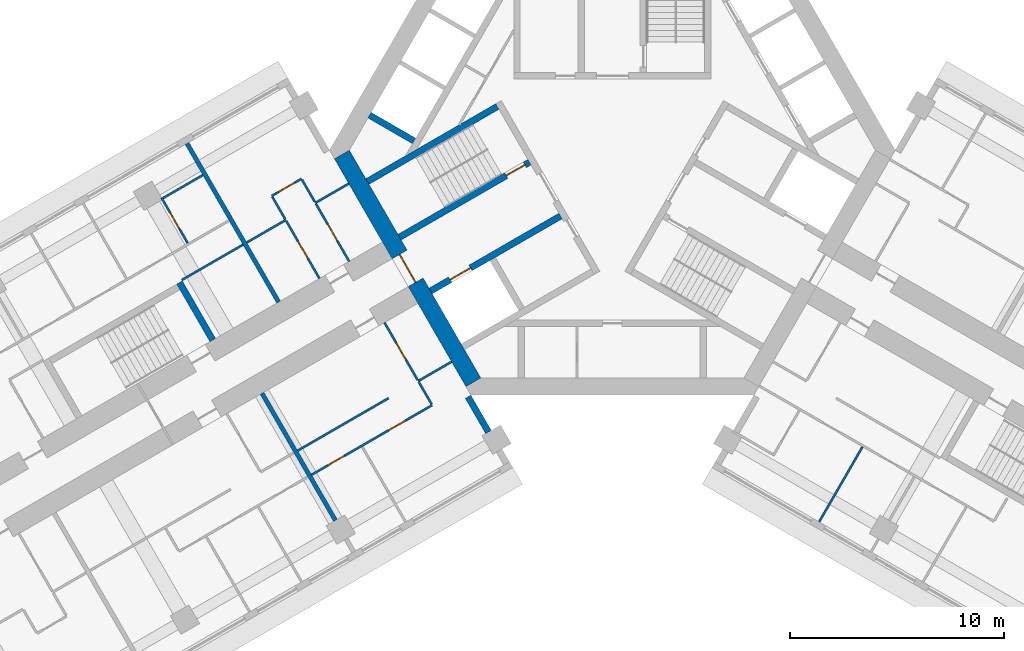
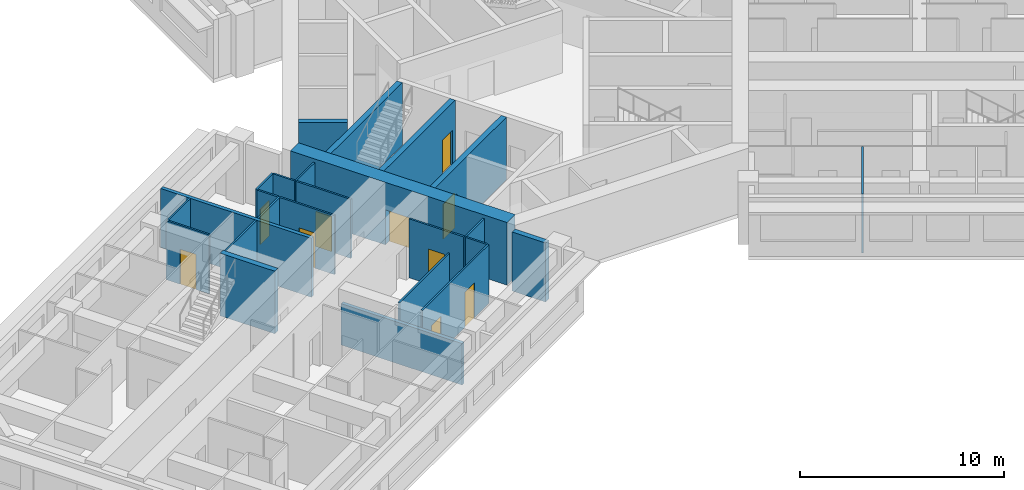
# One storey, part 4 of 13: 25 walls, 10 doors, 10 openings.
"""IFC4 building model written with IfcOpenShell, lengths in metres."""

from ifc_helpers import new_model, si_unit, direction, frame, frame_2d, origin, place, context, subcontext, project, spatial, rectangle, extrude, material, layer, layer_set, type_object, element, fill, save


model = new_model("IFC4")

# Units and contexts
model_context = context("Model", 3, precision=1e-05, world=origin(), true_north=direction((0.0, 1.0)))
body_context = subcontext(model_context, "Body", "Model", "MODEL_VIEW")
ifc_project = project(units=[si_unit("LENGTHUNIT", "METRE"), si_unit("AREAUNIT", "SQUARE_METRE"), si_unit("VOLUMEUNIT", "CUBIC_METRE"), si_unit("PLANEANGLEUNIT", "RADIAN"), si_unit("MASSUNIT", "GRAM", prefix="KILO")], contexts=[model_context])

# Site, building, storey
site_placement = place(None, origin())
site = spatial("IfcSite", under=ifc_project, at=site_placement, CompositionType="ELEMENT")
building_placement = place(site_placement, origin())
building = spatial("IfcBuilding", under=site, at=building_placement, Name="Impinga Residences", CompositionType="ELEMENT")
storey_placement = place(building_placement, frame((0.0, 0.0, 151.0)))
storey = spatial("IfcBuildingStorey", under=building, at=storey_placement, Name="L37", CompositionType="ELEMENT", Elevation=151.0)

# Walls
ifc_material_1 = material(Name="Terracotta rainscreen on blockwork", Category="masonry")
ifc_layer_1 = layer(ifc_material_1, 0.300048828125)
ifc_layer_set_1 = layer_set([ifc_layer_1], Name="EW1 external wall, terracotta rainscreen on blockwork 300")
wall_type_1 = type_object("IfcWallType", Name="EW1 external wall, terracotta rainscreen on blockwork 300", PredefinedType="SOLIDWALL", material=ifc_layer_set_1)
wall_1_placement = place(storey_placement, frame((-6.72998046875, -11.506591796875, 0.0), z_axis=(0.0, 0.0, 1.0), x_axis=(0.500063520245, -0.865988727248, 0.0)))
element("IfcWall", 1, at=wall_1_placement, inside=storey, type_object=wall_type_1, Name="External wall EW1 L37", PredefinedType="SOLIDWALL", context=body_context, shape_type="SweptSolid", body=[
    extrude(rectangle(XDim=1.900146484375, YDim=0.300048828125, at=frame_2d((0.9501953125, 0.0))), origin(), (0.0, 0.0, 1.0), 3.530029296875),
])
ifc_material_2 = material(Name="Gypsum board on steel studs", Category="steel")
ifc_layer_2 = layer(ifc_material_2, 0.10009765625)
ifc_layer_set_2 = layer_set([ifc_layer_2], Name="Gypsum board on steel studs")
wall_type_2 = type_object("IfcWallType", Name="IP1 partition 100", PredefinedType="PARTITIONING", material=ifc_layer_set_2)
wall_2_placement = place(storey_placement, frame((-7.5, -9.872802734375, 0.0), z_axis=(0.0, 0.0, 1.0), x_axis=(-0.866047807691, -0.499961193289, 0.0)))
element("IfcWall", 2, at=wall_2_placement, inside=storey, type_object=wall_type_2, Name="Partition L37-WA1:DIV0", PredefinedType="PARTITIONING", context=body_context, shape_type="SweptSolid", body=[
    extrude(rectangle(XDim=1.800048828125, YDim=0.10009765625, at=frame_2d((0.89990234375, 0.0))), origin(), (0.0, 0.0, 1.0), 3.530029296875),
])
wall_3_placement = place(storey_placement, frame((-10.444580078125, -11.57275390625, 0.0), z_axis=(0.0, 0.0, 1.0), x_axis=(-0.866023786258, -0.500002801628, 0.0)))
element("IfcWall", 3, at=wall_3_placement, inside=storey, type_object=wall_type_2, Name="Partition L37-WA1:DIV1", PredefinedType="PARTITIONING", context=body_context, shape_type="SweptSolid", body=[
    extrude(rectangle(XDim=4.89990234375, YDim=0.10009765625, at=frame_2d((2.449951171875, 0.0))), origin(), (0.0, 0.0, 1.0), 3.530029296875),
])

# Wall, openings, doors
wall_4_placement = place(storey_placement, frame((-8.408935546875, -11.8984375, 0.0), z_axis=(0.0, 0.0, 1.0), x_axis=(-0.866024837091, -0.50000098154, 0.0)))
wall_4 = element("IfcWall", 4, at=wall_4_placement, inside=storey, type_object=wall_type_2, Name="Partition L37-WA1:STRIP", PredefinedType="PARTITIONING", context=body_context, shape_type="SweptSolid", body=[
    extrude(rectangle(XDim=6.5, YDim=0.10009765625, at=frame_2d((3.25, 0.0))), origin(), (0.0, 0.0, 1.0), 3.530029296875),
])
opening_1_placement = place(wall_4_placement, frame((1.425048828125, 0.0, 0.0)))
opening_1 = element("IfcOpeningElement", 5, at=opening_1_placement, cuts=wall_4, Name="Opening D2", PredefinedType="OPENING", context=body_context, shape_type="SweptSolid", body=[
    extrude(rectangle(XDim=0.89990234375, YDim=2.10009765625, at=frame_2d((0.449951171875, 1.050048828125))), frame((0.0, 0.06005859375, 0.0), z_axis=(0.0, -1.0, 0.0), x_axis=(1.0, 0.0, 0.0)), (0.0, 0.0, 1.0), 0.1201171875),
])
opening_2_placement = place(wall_4_placement, frame((4.72509765625, 0.0, 0.0)))
opening_2 = element("IfcOpeningElement", 6, at=opening_2_placement, cuts=wall_4, Name="Opening D2", PredefinedType="OPENING", context=body_context, shape_type="SweptSolid", body=[
    extrude(rectangle(XDim=0.89990234375, YDim=2.10009765625, at=frame_2d((0.449951171875, 1.050048828125))), frame((0.0, 0.06005859375, 0.0), z_axis=(0.0, -1.0, 0.0), x_axis=(1.0, 0.0, 0.0)), (0.0, 0.0, 1.0), 0.1201171875),
])
ifc_material_3 = material(Name="Timber door set", Category="wood")
door_type_1 = type_object("IfcDoorType", Name="D2 internal door 900x2100", OperationType="SINGLE_SWING_LEFT", PredefinedType="DOOR", material=ifc_material_3)
door_1_placement = place(opening_1_placement, origin())
door_1 = element("IfcDoor", 7, at=door_1_placement, inside=storey, type_object=door_type_1, Name="Apartment L37-WA1 room door", OperationType="SINGLE_SWING_LEFT", OverallHeight=2.10009765625, OverallWidth=0.89990234375, PredefinedType="DOOR", context=body_context, shape_type="SweptSolid", body=[
    extrude(rectangle(XDim=0.89990234375, YDim=2.10009765625, at=frame_2d((0.449951171875, 1.050048828125))), frame((0.0, 0.02490234375, 0.0), z_axis=(0.0, -1.0, 0.0), x_axis=(1.0, 0.0, 0.0)), (0.0, 0.0, 1.0), 0.050048828125),
])
fill(opening_1, door_1)
door_2_placement = place(opening_2_placement, origin())
door_2 = element("IfcDoor", 8, at=door_2_placement, inside=storey, type_object=door_type_1, Name="Apartment L37-WA1 room door", OperationType="SINGLE_SWING_RIGHT", OverallHeight=2.10009765625, OverallWidth=0.89990234375, PredefinedType="DOOR", context=body_context, shape_type="SweptSolid", body=[
    extrude(rectangle(XDim=0.89990234375, YDim=2.10009765625, at=frame_2d((0.449951171875, 1.050048828125))), frame((0.0, 0.02490234375, 0.0), z_axis=(0.0, -1.0, 0.0), x_axis=(1.0, 0.0, 0.0)), (0.0, 0.0, 1.0), 0.050048828125),
])
fill(opening_2, door_2)

# Wall
wall_5_placement = place(storey_placement, frame((-9.033935546875, -10.81591796875, 0.0), z_axis=(0.0, 0.0, 1.0), x_axis=(0.500033551112, -0.866006032174, 0.0)))
element("IfcWall", 9, at=wall_5_placement, inside=storey, type_object=wall_type_2, Name="Partition L37-WA1:SE0", PredefinedType="PARTITIONING", context=body_context, shape_type="SweptSolid", body=[
    extrude(rectangle(XDim=1.2001953125, YDim=0.10009765625, at=frame_2d((0.60009765625, 0.0))), origin(), (0.0, 0.0, 1.0), 3.530029296875),
])

# Wall, opening, door
wall_6_placement = place(storey_placement, frame((-10.6337890625, -8.044677734375, 0.0), z_axis=(0.0, 0.0, 1.0), x_axis=(0.49999285859, -0.86602952684, 0.0)))
wall_6 = element("IfcWall", 10, at=wall_6_placement, inside=storey, type_object=wall_type_2, Name="Partition L37-WA1:IB1", PredefinedType="PARTITIONING", context=body_context, shape_type="SweptSolid", body=[
    extrude(rectangle(XDim=3.10009765625, YDim=0.10009765625, at=frame_2d((1.550048828125, 0.0))), origin(), (0.0, 0.0, 1.0), 3.530029296875),
])
opening_3_placement = place(wall_6_placement, frame((1.10009765625, 0.0, 0.0)))
opening_3 = element("IfcOpeningElement", 11, at=opening_3_placement, cuts=wall_6, Name="Opening D2", PredefinedType="OPENING", context=body_context, shape_type="SweptSolid", body=[
    extrude(rectangle(XDim=0.89990234375, YDim=2.10009765625, at=frame_2d((0.449951171875, 1.050048828125))), frame((0.0, 0.06005859375, 0.0), z_axis=(0.0, -1.0, 0.0), x_axis=(1.0, 0.0, 0.0)), (0.0, 0.0, 1.0), 0.1201171875),
])
door_3_placement = place(opening_3_placement, origin())
door_3 = element("IfcDoor", 12, at=door_3_placement, inside=storey, type_object=door_type_1, Name="Apartment L37-WA1 bathroom door", OperationType="SINGLE_SWING_LEFT", OverallHeight=2.10009765625, OverallWidth=0.89990234375, PredefinedType="DOOR", context=body_context, shape_type="SweptSolid", body=[
    extrude(rectangle(XDim=0.89990234375, YDim=2.10009765625, at=frame_2d((0.449951171875, 1.050048828125))), frame((0.0, 0.02490234375, 0.0), z_axis=(0.0, -1.0, 0.0), x_axis=(1.0, 0.0, 0.0)), (0.0, 0.0, 1.0), 0.050048828125),
])
fill(opening_3, door_3)

# Walls
wall_7_placement = place(storey_placement, frame((-12.300048828125, -1.558837890625, 0.0), z_axis=(0.0, 0.0, 1.0), x_axis=(-0.866047807691, -0.499961193289, 0.0)))
element("IfcWall", 13, at=wall_7_placement, inside=storey, type_object=wall_type_2, Name="Partition L37-WF1:DIV0", PredefinedType="PARTITIONING", context=body_context, shape_type="SweptSolid", body=[
    extrude(rectangle(XDim=1.800048828125, YDim=0.10009765625, at=frame_2d((0.89990234375, 0.0))), origin(), (0.0, 0.0, 1.0), 3.530029296875),
])
wall_8_placement = place(storey_placement, frame((-15.244384765625, -3.2587890625, 0.0), z_axis=(0.0, 0.0, 1.0), x_axis=(-0.866038466041, -0.499977374825, 0.0)))
element("IfcWall", 14, at=wall_8_placement, inside=storey, type_object=wall_type_2, Name="Partition L37-WF1:DIV1", PredefinedType="PARTITIONING", context=body_context, shape_type="SweptSolid", body=[
    extrude(rectangle(XDim=2.10009765625, YDim=0.10009765625, at=frame_2d((1.050048828125, 0.0))), origin(), (0.0, 0.0, 1.0), 3.530029296875),
])

# Wall, opening, door
wall_9_placement = place(storey_placement, frame((-14.5087890625, -1.3330078125, 0.0), z_axis=(0.0, 0.0, 1.0), x_axis=(-0.866028054938, -0.499995408039, 0.0)))
wall_9 = element("IfcWall", 15, at=wall_9_placement, inside=storey, type_object=wall_type_2, Name="Partition L37-WF1:STRIP", PredefinedType="PARTITIONING", context=body_context, shape_type="SweptSolid", body=[
    extrude(rectangle(XDim=1.60009765625, YDim=0.10009765625, at=frame_2d((0.800048828125, 0.0))), origin(), (0.0, 0.0, 1.0), 3.530029296875),
])
opening_4_placement = place(wall_9_placement, frame((0.35009765625, 0.0, 0.0)))
opening_4 = element("IfcOpeningElement", 16, at=opening_4_placement, cuts=wall_9, Name="Opening D2", PredefinedType="OPENING", context=body_context, shape_type="SweptSolid", body=[
    extrude(rectangle(XDim=0.89990234375, YDim=2.10009765625, at=frame_2d((0.449951171875, 1.050048828125))), frame((0.0, 0.06005859375, 0.0), z_axis=(0.0, -1.0, 0.0), x_axis=(1.0, 0.0, 0.0)), (0.0, 0.0, 1.0), 0.1201171875),
])
door_4_placement = place(opening_4_placement, origin())
door_4 = element("IfcDoor", 17, at=door_4_placement, inside=storey, type_object=door_type_1, Name="Apartment L37-WF1 room door", OperationType="SINGLE_SWING_LEFT", OverallHeight=2.10009765625, OverallWidth=0.89990234375, PredefinedType="DOOR", context=body_context, shape_type="SweptSolid", body=[
    extrude(rectangle(XDim=0.89990234375, YDim=2.10009765625, at=frame_2d((0.449951171875, 1.050048828125))), frame((0.0, 0.02490234375, 0.0), z_axis=(0.0, -1.0, 0.0), x_axis=(1.0, 0.0, 0.0)), (0.0, 0.0, 1.0), 0.050048828125),
])
fill(opening_4, door_4)

# Walls
wall_10_placement = place(storey_placement, frame((-13.8837890625, -2.41552734375, 0.0), z_axis=(0.0, 0.0, 1.0), x_axis=(-0.500033551112, 0.866006032174, 0.0)))
element("IfcWall", 18, at=wall_10_placement, inside=storey, type_object=wall_type_2, Name="Partition L37-WF1:SE0", PredefinedType="PARTITIONING", context=body_context, shape_type="SweptSolid", body=[
    extrude(rectangle(XDim=1.2001953125, YDim=0.10009765625, at=frame_2d((0.60009765625, 0.0))), origin(), (0.0, 0.0, 1.0), 3.530029296875),
])
wall_11_placement = place(storey_placement, frame((-15.26953125, -3.215576171875, 0.0), z_axis=(0.0, 0.0, 1.0), x_axis=(-0.499880961361, 0.866094119867, 0.0)))
element("IfcWall", 19, at=wall_11_placement, inside=storey, type_object=wall_type_2, Name="Partition L37-WF1:SE1", PredefinedType="PARTITIONING", context=body_context, shape_type="SweptSolid", body=[
    extrude(rectangle(XDim=1.199951171875, YDim=0.10009765625, at=frame_2d((0.60009765625, 0.0))), origin(), (0.0, 0.0, 1.0), 3.530029296875),
])

# Wall, opening, door
wall_12_placement = place(storey_placement, frame((-12.283935546875, -5.186767578125, 0.0), z_axis=(0.0, 0.0, 1.0), x_axis=(-0.499967891604, 0.866043940782, 0.0)))
wall_12 = element("IfcWall", 20, at=wall_12_placement, inside=storey, type_object=wall_type_2, Name="Partition L37-WF1:IB1", PredefinedType="PARTITIONING", context=body_context, shape_type="SweptSolid", body=[
    extrude(rectangle(XDim=3.099853515625, YDim=0.10009765625, at=frame_2d((1.5498046875, 0.0))), origin(), (0.0, 0.0, 1.0), 3.530029296875),
])
opening_5_placement = place(wall_12_placement, frame((1.10009765625, 0.0, 0.0)))
opening_5 = element("IfcOpeningElement", 21, at=opening_5_placement, cuts=wall_12, Name="Opening D2", PredefinedType="OPENING", context=body_context, shape_type="SweptSolid", body=[
    extrude(rectangle(XDim=0.89990234375, YDim=2.10009765625, at=frame_2d((0.449951171875, 1.050048828125))), frame((0.0, 0.06005859375, 0.0), z_axis=(0.0, -1.0, 0.0), x_axis=(1.0, 0.0, 0.0)), (0.0, 0.0, 1.0), 0.1201171875),
])
door_5_placement = place(opening_5_placement, origin())
door_5 = element("IfcDoor", 22, at=door_5_placement, inside=storey, type_object=door_type_1, Name="Apartment L37-WF1 bathroom door", OperationType="SINGLE_SWING_LEFT", OverallHeight=2.10009765625, OverallWidth=0.89990234375, PredefinedType="DOOR", context=body_context, shape_type="SweptSolid", body=[
    extrude(rectangle(XDim=0.89990234375, YDim=2.10009765625, at=frame_2d((0.449951171875, 1.050048828125))), frame((0.0, 0.02490234375, 0.0), z_axis=(0.0, -1.0, 0.0), x_axis=(1.0, 0.0, 0.0)), (0.0, 0.0, 1.0), 0.050048828125),
])
fill(opening_5, door_5)

wall_13_placement = place(storey_placement, frame((-13.66943359375, -5.98681640625, 0.0), z_axis=(0.0, 0.0, 1.0), x_axis=(-0.500026960575, 0.86600983753, 0.0)))
wall_13 = element("IfcWall", 23, at=wall_13_placement, inside=storey, type_object=wall_type_2, Name="Partition L37-WF1:IB2", PredefinedType="PARTITIONING", context=body_context, shape_type="SweptSolid", body=[
    extrude(rectangle(XDim=3.099853515625, YDim=0.10009765625, at=frame_2d((1.5498046875, 0.0))), origin(), (0.0, 0.0, 1.0), 3.530029296875),
])
opening_6_placement = place(wall_13_placement, frame((1.10009765625, 0.0, 0.0)))
opening_6 = element("IfcOpeningElement", 24, at=opening_6_placement, cuts=wall_13, Name="Opening D2", PredefinedType="OPENING", context=body_context, shape_type="SweptSolid", body=[
    extrude(rectangle(XDim=0.89990234375, YDim=2.10009765625, at=frame_2d((0.449951171875, 1.050048828125))), frame((0.0, 0.06005859375, 0.0), z_axis=(0.0, -1.0, 0.0), x_axis=(1.0, 0.0, 0.0)), (0.0, 0.0, 1.0), 0.1201171875),
])
door_6_placement = place(opening_6_placement, origin())
door_6 = element("IfcDoor", 25, at=door_6_placement, inside=storey, type_object=door_type_1, Name="Apartment L37-WF1 WC door", OperationType="SINGLE_SWING_LEFT", OverallHeight=2.10009765625, OverallWidth=0.89990234375, PredefinedType="DOOR", context=body_context, shape_type="SweptSolid", body=[
    extrude(rectangle(XDim=0.89990234375, YDim=2.10009765625, at=frame_2d((0.449951171875, 1.050048828125))), frame((0.0, 0.02490234375, 0.0), z_axis=(0.0, -1.0, 0.0), x_axis=(1.0, 0.0, 0.0)), (0.0, 0.0, 1.0), 0.050048828125),
])
fill(opening_6, door_6)

# Wall
wall_14_placement = place(storey_placement, frame((-17.236328125, -4.408935546875, 0.0), z_axis=(0.0, 0.0, 1.0), x_axis=(-0.866040211805, -0.499974350878, 0.0)))
element("IfcWall", 26, at=wall_14_placement, inside=storey, type_object=wall_type_2, Name="Partition L37-WF2:DIV0", PredefinedType="PARTITIONING", context=body_context, shape_type="SweptSolid", body=[
    extrude(rectangle(XDim=3.300048828125, YDim=0.10009765625, at=frame_2d((1.64990234375, 0.0))), origin(), (0.0, 0.0, 1.0), 3.530029296875),
])

# Wall, opening, door
wall_15_placement = place(storey_placement, frame((-19.816650390625, -4.339599609375, 0.0), z_axis=(0.0, 0.0, 1.0), x_axis=(-0.499987006516, 0.866032905446, 0.0)))
wall_15 = element("IfcWall", 27, at=wall_15_placement, inside=storey, type_object=wall_type_2, Name="Partition L37-WF2:EN1", PredefinedType="PARTITIONING", context=body_context, shape_type="SweptSolid", body=[
    extrude(rectangle(XDim=2.44970703125, YDim=0.10009765625, at=frame_2d((1.224853515625, 0.0))), origin(), (0.0, 0.0, 1.0), 3.530029296875),
])
opening_7_placement = place(wall_15_placement, frame((0.75, 0.0, 0.0)))
opening_7 = element("IfcOpeningElement", 28, at=opening_7_placement, cuts=wall_15, Name="Opening D2", PredefinedType="OPENING", context=body_context, shape_type="SweptSolid", body=[
    extrude(rectangle(XDim=0.89990234375, YDim=2.10009765625, at=frame_2d((0.449951171875, 1.050048828125))), frame((0.0, 0.06005859375, 0.0), z_axis=(0.0, -1.0, 0.0), x_axis=(1.0, 0.0, 0.0)), (0.0, 0.0, 1.0), 0.1201171875),
])
door_7_placement = place(opening_7_placement, origin())
door_7 = element("IfcDoor", 29, at=door_7_placement, inside=storey, type_object=door_type_1, Name="Apartment L37-WF2 en-suite door", OperationType="SINGLE_SWING_LEFT", OverallHeight=2.10009765625, OverallWidth=0.89990234375, PredefinedType="DOOR", context=body_context, shape_type="SweptSolid", body=[
    extrude(rectangle(XDim=0.89990234375, YDim=2.10009765625, at=frame_2d((0.449951171875, 1.050048828125))), frame((0.0, 0.02490234375, 0.0), z_axis=(0.0, -1.0, 0.0), x_axis=(1.0, 0.0, 0.0)), (0.0, 0.0, 1.0), 0.050048828125),
])
fill(opening_7, door_7)

# Walls
wall_16_placement = place(storey_placement, frame((-19.111328125, -1.1611328125, 0.0), z_axis=(0.0, 0.0, 1.0), x_axis=(-0.865998386012, -0.500046793234, 0.0)))
element("IfcWall", 30, at=wall_16_placement, inside=storey, type_object=wall_type_2, Name="Partition L37-WF2:EN2", PredefinedType="PARTITIONING", context=body_context, shape_type="SweptSolid", body=[
    extrude(rectangle(XDim=2.150146484375, YDim=0.10009765625, at=frame_2d((1.0751953125, 0.0))), origin(), (0.0, 0.0, 1.0), 3.530029296875),
])
wall_17_placement = place(storey_placement, frame((11.6748046875, -13.841796875, 0.0), z_axis=(0.0, 0.0, 1.0), x_axis=(-0.500035537042, -0.866004885491, 0.0)))
element("IfcWall", 31, at=wall_17_placement, inside=storey, type_object=wall_type_2, Name="Partition L37-EF1:OB1", PredefinedType="PARTITIONING", context=body_context, shape_type="SweptSolid", body=[
    extrude(rectangle(XDim=4.050048828125, YDim=0.10009765625, at=frame_2d((2.02490234375, 0.0))), origin(), (0.0, 0.0, 1.0), 3.530029296875),
])
ifc_material_4 = material(Name="Concrete blockwork", Category="masonry")
ifc_layer_3 = layer(ifc_material_4, 0.199951171875)
ifc_layer_set_3 = layer_set([ifc_layer_3], Name="PW1 party wall between apartments 200")
wall_type_3 = type_object("IfcWallType", Name="PW1 party wall between apartments 200", PredefinedType="SOLIDWALL", material=ifc_layer_set_3)
wall_18_placement = place(storey_placement, frame((-16.349609375, -11.3447265625, 0.0), z_axis=(0.0, 0.0, 1.0), x_axis=(0.499999086063, -0.866025931445, 0.0)))
element("IfcWall", 32, at=wall_18_placement, inside=storey, type_object=wall_type_3, Name="Party wall between apartments L37-WA1:PARTY", PredefinedType="SOLIDWALL", context=body_context, shape_type="SweptSolid", body=[
    extrude(rectangle(XDim=6.85009765625, YDim=0.199951171875, at=frame_2d((3.425048828125, 0.0))), origin(), (0.0, 0.0, 1.0), 2.47998046875),
])
wall_19_placement = place(storey_placement, frame((-15.57470703125, -7.0869140625, 0.0), z_axis=(0.0, 0.0, 1.0), x_axis=(-0.500011643316, 0.866018681408, 0.0)))
element("IfcWall", 33, at=wall_19_placement, inside=storey, type_object=wall_type_3, Name="Party wall between apartments L37-WF1:PARTY", PredefinedType="SOLIDWALL", context=body_context, shape_type="SweptSolid", body=[
    extrude(rectangle(XDim=8.550048828125, YDim=0.199951171875, at=frame_2d((4.27490234375, 0.0))), origin(), (0.0, 0.0, 1.0), 3.530029296875),
])
ifc_material_5 = material(Name="Concrete C60/75", Category="concrete")
ifc_layer_4 = layer(ifc_material_5, 0.300048828125)
ifc_layer_set_4 = layer_set([ifc_layer_4], Name="Concrete C60/75")
wall_type_4 = type_object("IfcWallType", Name="SE1 wing stair enclosure wall 300", PredefinedType="SOLIDWALL", material=ifc_layer_set_4)
wall_20_placement = place(storey_placement, frame((-18.649169921875, -8.86181640625, 0.0), z_axis=(0.0, 0.0, 1.0), x_axis=(-0.500026960575, 0.86600983753, 0.0)))
element("IfcWall", 34, at=wall_20_placement, inside=storey, type_object=wall_type_4, Name="Stair enclosure wall SE1 W END0 L37", PredefinedType="SOLIDWALL", context=body_context, shape_type="SweptSolid", body=[
    extrude(rectangle(XDim=3.099853515625, YDim=0.300048828125, at=frame_2d((1.5498046875, 0.0))), origin(), (0.0, 0.0, 1.0), 3.75),
])

# Wall, opening, door
ifc_layer_5 = layer(ifc_material_5, 0.800048828125)
ifc_layer_set_5 = layer_set([ifc_layer_5], Name="Concrete C60/75")
wall_type_5 = type_object("IfcWallType", Name="SW2 core wall 800", PredefinedType="SHEAR", material=ifc_layer_set_5)
wall_21_placement = place(storey_placement, frame((-6.484619140625, -10.83154296875, 0.0), z_axis=(0.0, 0.0, 1.0), x_axis=(-0.499986991068, 0.866032914365, 0.0)))
wall_21 = element("IfcWall", 35, at=wall_21_placement, inside=storey, type_object=wall_type_5, Name="Core wall SW2 W:FACE L37", PredefinedType="SHEAR", context=body_context, shape_type="SweptSolid", body=[
    extrude(rectangle(XDim=12.276123046875, YDim=0.800048828125, at=frame_2d((6.13818359375, 0.0))), origin(), (0.0, 0.0, 1.0), 3.75),
])
opening_8_placement = place(wall_21_placement, frame((5.38818359375, 0.0, 0.0)))
opening_8 = element("IfcOpeningElement", 36, at=opening_8_placement, cuts=wall_21, Name="Opening D4", PredefinedType="OPENING", context=body_context, shape_type="SweptSolid", body=[
    extrude(rectangle(XDim=1.5, YDim=2.10009765625, at=frame_2d((0.75, 1.050048828125))), frame((0.0, 0.409912109375, 0.0), z_axis=(0.0, -1.0, 0.0), x_axis=(1.0, 0.0, 0.0)), (0.0, 0.0, 1.0), 0.820068359375),
])
door_type_2 = type_object("IfcDoorType", Name="D4 lobby door pair 1500x2100", OperationType="DOUBLE_DOOR_DOUBLE_SWING", PredefinedType="DOOR", material=ifc_material_3)
door_8_placement = place(opening_8_placement, origin())
door_8 = element("IfcDoor", 37, at=door_8_placement, inside=storey, type_object=door_type_2, Name="Lobby door W", OperationType="DOUBLE_DOOR_DOUBLE_SWING", OverallHeight=2.10009765625, OverallWidth=1.5, PredefinedType="DOOR", context=body_context, shape_type="SweptSolid", body=[
    extrude(rectangle(XDim=1.5, YDim=2.10009765625, at=frame_2d((0.75, 1.050048828125))), frame((0.0, 0.02490234375, 0.0), z_axis=(0.0, -1.0, 0.0), x_axis=(1.0, 0.0, 0.0)), (0.0, 0.0, 1.0), 0.050048828125),
])
fill(opening_8, door_8)

ifc_material_6 = material(Name="Concrete C70/85", Category="concrete")
ifc_layer_6 = layer(ifc_material_6, 0.300048828125)
ifc_layer_set_6 = layer_set([ifc_layer_6], Name="Concrete C70/85")
wall_type_6 = type_object("IfcWallType", Name="SW5 core inner wall, stairs, shafts and lobbies 300", PredefinedType="SHEAR", material=ifc_layer_set_6)
wall_22_placement = place(storey_placement, frame((-3.86865234375, -0.559326171875, 0.0), z_axis=(0.0, 0.0, 1.0), x_axis=(-0.866026480128, -0.499998135713, 0.0)))
wall_22 = element("IfcWall", 38, at=wall_22_placement, inside=storey, type_object=wall_type_6, Name="Core wall SW5 W:ST-IN L37", PredefinedType="SHEAR", context=body_context, shape_type="SweptSolid", body=[
    extrude(rectangle(XDim=7.00146484375, YDim=0.300048828125, at=frame_2d((3.500732421875, 0.0))), origin(), (0.0, 0.0, 1.0), 3.75),
])
opening_9_placement = place(wall_22_placement, frame((0.25, 0.0, 0.0)))
opening_9 = element("IfcOpeningElement", 39, at=opening_9_placement, cuts=wall_22, Name="Opening D5", PredefinedType="OPENING", context=body_context, shape_type="SweptSolid", body=[
    extrude(rectangle(XDim=1.0, YDim=2.10009765625, at=frame_2d((0.5, 1.050048828125))), frame((0.0, 0.159912109375, 0.0), z_axis=(0.0, -1.0, 0.0), x_axis=(1.0, 0.0, 0.0)), (0.0, 0.0, 1.0), 0.320068359375),
])
door_type_3 = type_object("IfcDoorType", Name="D5 stair door 1000x2100", OperationType="SINGLE_SWING_LEFT", PredefinedType="DOOR", material=ifc_material_3)
door_9_placement = place(opening_9_placement, origin())
door_9 = element("IfcDoor", 40, at=door_9_placement, inside=storey, type_object=door_type_3, Name="Stair door W", OperationType="SINGLE_SWING_LEFT", OverallHeight=2.10009765625, OverallWidth=1.0, PredefinedType="DOOR", context=body_context, shape_type="SweptSolid", body=[
    extrude(rectangle(XDim=1.0, YDim=2.10009765625, at=frame_2d((0.5, 1.050048828125))), frame((0.0, 0.02490234375, 0.0), z_axis=(0.0, -1.0, 0.0), x_axis=(1.0, 0.0, 0.0)), (0.0, 0.0, 1.0), 0.050048828125),
])
fill(opening_9, door_9)

# Wall
wall_23_placement = place(storey_placement, frame((-5.36865234375, 2.038818359375, 0.0), z_axis=(0.0, 0.0, 1.0), x_axis=(-0.866026480128, -0.499998135713, 0.0)))
element("IfcWall", 41, at=wall_23_placement, inside=storey, type_object=wall_type_6, Name="Core wall SW5 W:ST-OUT L37", PredefinedType="SHEAR", context=body_context, shape_type="SweptSolid", body=[
    extrude(rectangle(XDim=7.00146484375, YDim=0.300048828125, at=frame_2d((3.500732421875, 0.0))), origin(), (0.0, 0.0, 1.0), 3.75),
])

# Wall, opening, door
wall_24_placement = place(storey_placement, frame((-2.418701171875, -3.07080078125, 0.0), z_axis=(0.0, 0.0, 1.0), x_axis=(-0.866026480128, -0.499998135713, 0.0)))
wall_24 = element("IfcWall", 42, at=wall_24_placement, inside=storey, type_object=wall_type_6, Name="Core wall SW5 W:FF-IN L37", PredefinedType="SHEAR", context=body_context, shape_type="SweptSolid", body=[
    extrude(rectangle(XDim=7.00146484375, YDim=0.300048828125, at=frame_2d((3.500732421875, 0.0))), origin(), (0.0, 0.0, 1.0), 3.75),
])
opening_10_placement = place(wall_24_placement, frame((4.85009765625, 0.0, 0.0)))
opening_10 = element("IfcOpeningElement", 43, at=opening_10_placement, cuts=wall_24, Name="Opening LD2", PredefinedType="OPENING", context=body_context, shape_type="SweptSolid", body=[
    extrude(rectangle(XDim=1.10009765625, YDim=2.10009765625, at=frame_2d((0.550048828125, 1.050048828125))), frame((0.0, 0.159912109375, 0.0), z_axis=(0.0, -1.0, 0.0), x_axis=(1.0, 0.0, 0.0)), (0.0, 0.0, 1.0), 0.320068359375),
])
ifc_material_7 = material(Name="Steel lift landing door", Category="steel")
door_type_4 = type_object("IfcDoorType", Name="LD2 firefighting lift landing door 1100x2100", OperationType="DOUBLE_DOOR_SLIDING", PredefinedType="DOOR", material=ifc_material_7)
door_10_placement = place(opening_10_placement, origin())
door_10 = element("IfcDoor", 44, at=door_10_placement, inside=storey, type_object=door_type_4, Name="Firefighting lift landing door F2", OperationType="DOUBLE_DOOR_SLIDING", OverallHeight=2.10009765625, OverallWidth=1.10009765625, PredefinedType="DOOR", context=body_context, shape_type="SweptSolid", body=[
    extrude(rectangle(XDim=1.10009765625, YDim=2.10009765625, at=frame_2d((0.550048828125, 1.050048828125))), frame((0.0, 0.02490234375, 0.0), z_axis=(0.0, -1.0, 0.0), x_axis=(1.0, 0.0, 0.0)), (0.0, 0.0, 1.0), 0.050048828125),
])
fill(opening_10, door_10)

# Wall
wall_25_placement = place(storey_placement, frame((-9.253662109375, 0.43505859375, 0.0), z_axis=(0.0, 0.0, 1.0), x_axis=(-0.866006032174, 0.500033551112, 0.0)))
element("IfcWall", 45, at=wall_25_placement, inside=storey, type_object=wall_type_6, Name="Core wall SW5 E:BANK-L L37", PredefinedType="SHEAR", context=body_context, shape_type="SweptSolid", body=[
    extrude(rectangle(XDim=2.400146484375, YDim=0.300048828125, at=frame_2d((1.2001953125, 0.0))), origin(), (0.0, 0.0, 1.0), 3.75),
])

save(model, "model.ifc")
